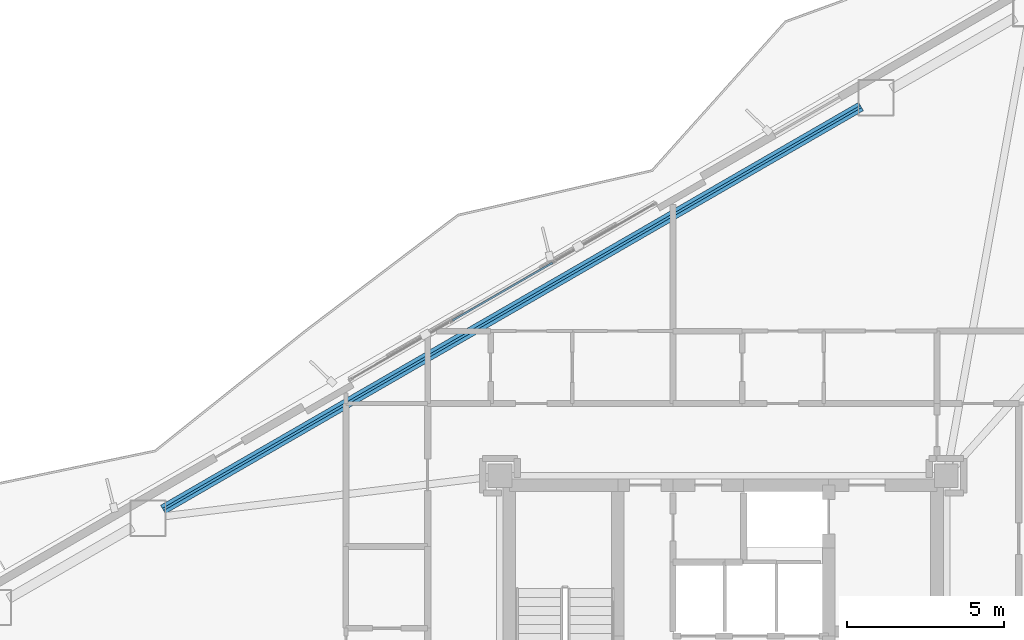
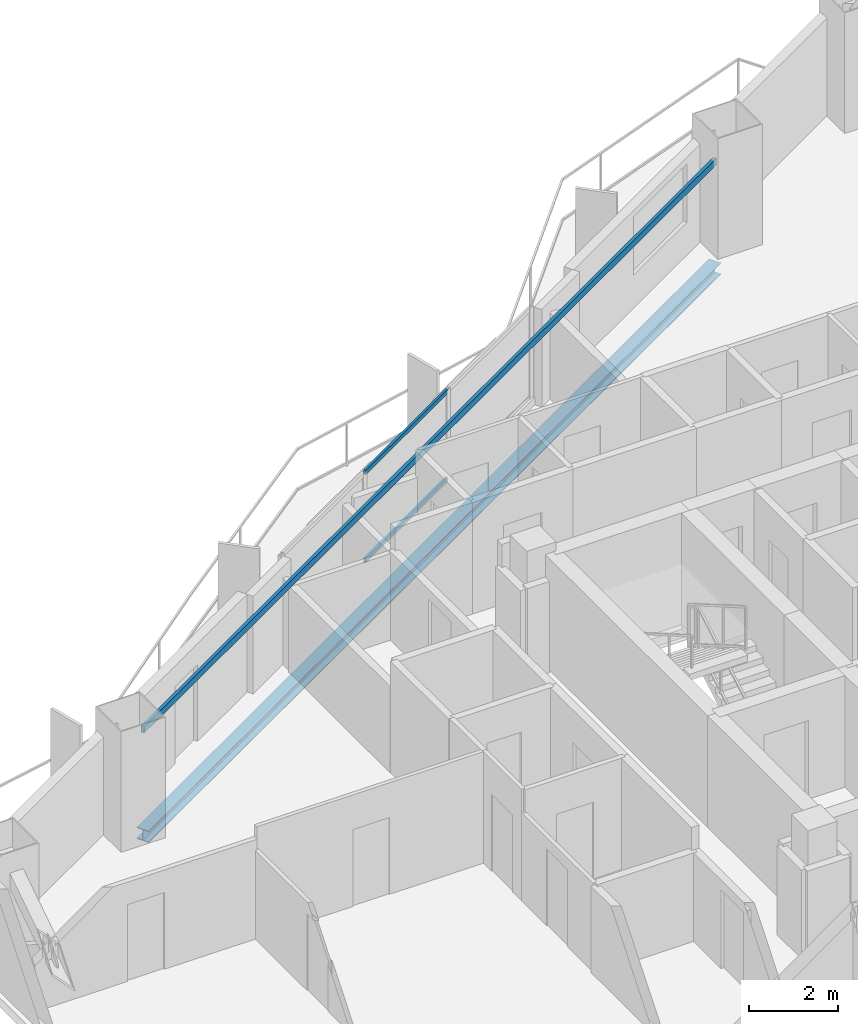
# One storey, part 12 of 23: 2 beams, 2 members, 1 element without a shape of its own.
"""IFC4 building model written with IfcOpenShell, lengths in metres."""

from ifc_helpers import new_model, si_unit, direction, frame, origin, origin_2d, place, context, subcontext, project, spatial, hollow_rectangle, i_section, extrude, material, layer, layer_set, material_profile, profile_set, type_object, element, aggregate, save


model = new_model("IFC4")

# Units and contexts
model_context = context("Model", 3, precision=1e-05, world=origin(), true_north=direction((0.0, 1.0)))
body_context = subcontext(model_context, "Body", "Model", "MODEL_VIEW")
ifc_project = project(units=[si_unit("LENGTHUNIT", "METRE"), si_unit("AREAUNIT", "SQUARE_METRE"), si_unit("VOLUMEUNIT", "CUBIC_METRE"), si_unit("PLANEANGLEUNIT", "RADIAN"), si_unit("MASSUNIT", "GRAM", prefix="KILO")], contexts=[model_context])

# Site, building, storey
site_placement = place(None, origin())
site = spatial("IfcSite", under=ifc_project, at=site_placement, CompositionType="ELEMENT")
building_placement = place(site_placement, origin())
building = spatial("IfcBuilding", under=site, at=building_placement, Name="Mersakhor Tower and Convention Hall", CompositionType="ELEMENT")
storey_placement = place(building_placement, frame((0.0, 0.0, 96.60009765625)))
storey = spatial("IfcBuildingStorey", under=building, at=storey_placement, Name="L26", CompositionType="ELEMENT", Elevation=96.60009765625)

# Beams
ifc_material_1 = material(Name="Steel S355", Category="steel")
ifc_material_profile_1 = material_profile(ifc_material_1, hollow_rectangle(XDim=0.080078125, YDim=0.179931640625, WallThickness=0.008056640625, at=origin_2d()), Name="RHS 180x80x8")
ifc_profile_set_1 = profile_set([ifc_material_profile_1], Name="Steel S355")
beam_type_1 = type_object("IfcBeamType", Name="BM-GRT-RHS180", PredefinedType="USERDEFINED", material=ifc_profile_set_1)
beam_1_placement = place(storey_placement, frame((11.18310546875, 31.976318359375, 2.47998046875), z_axis=(0.866022538643, 0.500004962538, 0.0), x_axis=(-0.500004962538, 0.866022538643, 0.0)))
element("IfcBeam", 1, at=beam_1_placement, inside=storey, type_object=beam_type_1, Name="L26 Facade Support Girt GRT-F1", ObjectType="GIRT", PredefinedType="USERDEFINED", context=body_context, shape_type="SweptSolid", body=[
    extrude(hollow_rectangle(XDim=0.080078125, YDim=0.179931640625, WallThickness=0.008056640625, at=origin_2d()), origin(), (0.0, 0.0, 1.0), 25.633544921875),
])
ifc_material_2 = material(Name="Steel S355", Category="steel")
ifc_material_profile_2 = material_profile(ifc_material_2, i_section(OverallWidth=0.30908203125, OverallDepth=0.320556640625, WebThickness=0.013916015625, FlangeThickness=0.021728515625, at=origin_2d()), Name="UC 305x305x137")
ifc_profile_set_2 = profile_set([ifc_material_profile_2], Name="Steel S355")
beam_type_2 = type_object("IfcBeamType", Name="BM-SPD-UC305", PredefinedType="SPANDREL", material=ifc_profile_set_2)
beam_2_placement = place(storey_placement, frame((11.18310546875, 31.976318359375, -0.410400390625), z_axis=(0.866022538643, 0.500004962538, 0.0), x_axis=(-0.500004962538, 0.866022538643, 0.0)))
element("IfcBeam", 2, at=beam_2_placement, inside=storey, type_object=beam_type_2, Name="L26 Perimeter Spandrel Beam SPB-02", PredefinedType="SPANDREL", context=body_context, shape_type="SweptSolid", body=[
    extrude(i_section(OverallWidth=0.30908203125, OverallDepth=0.320556640625, WebThickness=0.013916015625, FlangeThickness=0.021728515625, at=origin_2d()), origin(), (0.0, 0.0, 1.0), 25.633544921875),
])

# Curtain wall, members
ifc_material_3 = material(Name="Dark solar low-E aluminium curtain wall", Category="aluminium")
ifc_layer = layer(ifc_material_3, 0.159912109375)
ifc_layer_set = layer_set([ifc_layer], Name="Dark solar low-E aluminium curtain wall")
curtain_wall_type = type_object("IfcCurtainWallType", Name="CW-SYS-01", PredefinedType="USERDEFINED", material=ifc_layer_set)
curtain_wall_placement = place(storey_placement, origin())
curtain_wall = element("IfcCurtainWall", 3, at=curtain_wall_placement, inside=storey, type_object=curtain_wall_type, Name="L26 Dark-Glass Curtain Wall F1-B2", ObjectType="CURTAIN WALL", PredefinedType="USERDEFINED")
ifc_material_4 = material(Name="Anodised aluminium EN AW-6063 T6", Category="aluminium")
ifc_material_profile_3 = material_profile(ifc_material_4, hollow_rectangle(XDim=0.06005859375, YDim=0.1201171875, WallThickness=0.0048828125, at=origin_2d()), Name="RHS 120x60x5")
ifc_profile_set_3 = profile_set([ifc_material_profile_3], Name="Anodised aluminium EN AW-6063 T6")
member_type = type_object("IfcMemberType", Name="CWT-120x60", PredefinedType="USERDEFINED", material=ifc_profile_set_3)
member_1_placement = place(storey_placement, frame((20.394287109375, 37.9873046875, 0.22998046875), z_axis=(0.866039286129, 0.499975954304, 0.0), x_axis=(-0.499975954304, 0.866039286129, 0.0)))
member_1 = element("IfcMember", 4, at=member_1_placement, type_object=member_type, Name="CW-01 transom 2.1", ObjectType="TRANSOM", PredefinedType="USERDEFINED", context=body_context, shape_type="SweptSolid", body=[
    extrude(hollow_rectangle(XDim=0.06005859375, YDim=0.1201171875, WallThickness=0.0048828125, at=origin_2d()), origin(), (0.0, 0.0, 1.0), 3.668212890625),
])
member_2_placement = place(storey_placement, frame((20.394287109375, 37.9873046875, 2.639892578125), z_axis=(0.866039286129, 0.499975954304, 0.0), x_axis=(-0.499975954304, 0.866039286129, 0.0)))
member_2 = element("IfcMember", 5, at=member_2_placement, type_object=member_type, Name="CW-01 transom 2.2", ObjectType="TRANSOM", PredefinedType="USERDEFINED", context=body_context, shape_type="SweptSolid", body=[
    extrude(hollow_rectangle(XDim=0.06005859375, YDim=0.1201171875, WallThickness=0.0048828125, at=origin_2d()), origin(), (0.0, 0.0, 1.0), 3.668212890625),
])
aggregate(curtain_wall, [member_1, member_2])

save(model, "model.ifc")
